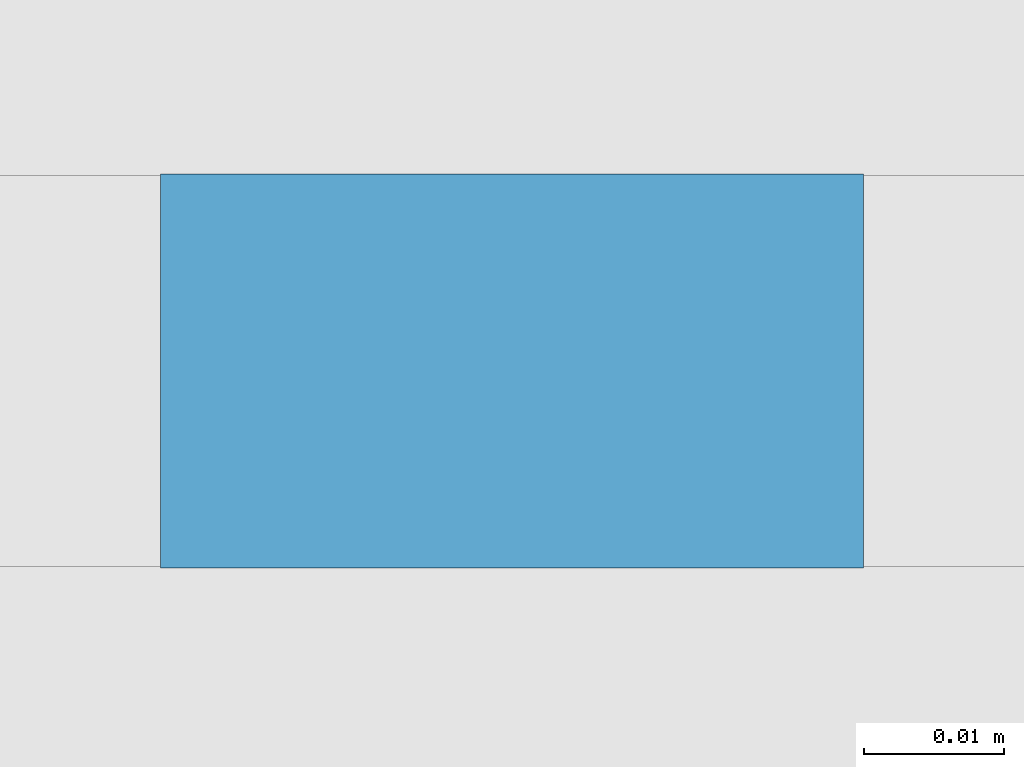
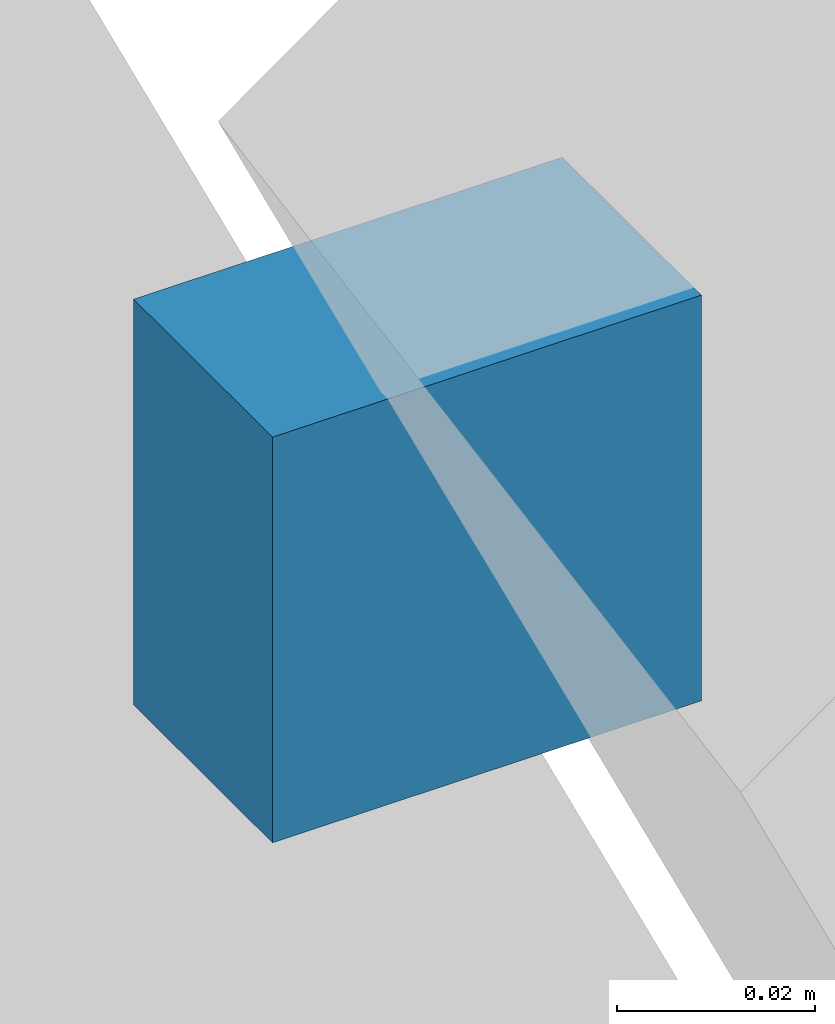
# One storey, part 24 of 26: 1 discrete accessory, 1 element without a shape of its own.
"""IFC4 building model written with IfcOpenShell, lengths in metres."""

from ifc_helpers import new_model, si_unit, direction, frame, origin, origin_2d, place, context, subcontext, project, spatial, rectangle, extrude, material, type_object, element, aggregate, save


model = new_model("IFC4")

# Units and contexts
model_context = context("Model", 3, precision=1e-05, world=origin(), true_north=direction((0.0, 1.0)))
body_context = subcontext(model_context, "Body", "Model", "MODEL_VIEW")
ifc_project = project(units=[si_unit("LENGTHUNIT", "METRE"), si_unit("AREAUNIT", "SQUARE_METRE"), si_unit("VOLUMEUNIT", "CUBIC_METRE"), si_unit("PLANEANGLEUNIT", "RADIAN"), si_unit("MASSUNIT", "GRAM", prefix="KILO")], contexts=[model_context])

# Site, building, storey
site_placement = place(None, origin())
site = spatial("IfcSite", under=ifc_project, at=site_placement, CompositionType="ELEMENT")
building_placement = place(site_placement, origin())
building = spatial("IfcBuilding", under=site, at=building_placement, Name="Tessera Arch", CompositionType="ELEMENT")
storey_placement = place(building_placement, frame((0.0, 0.0, 96.800048828125)))
storey = spatial("IfcBuildingStorey", under=building, at=storey_placement, Name="L22", CompositionType="ELEMENT", Elevation=96.800048828125)

# Curtain wall, discrete accessory
ifc_material = material(Name="CW3 curtain wall")
curtain_wall_type = type_object("IfcCurtainWallType", Name="CW3 curtain wall", PredefinedType="NOTDEFINED", material=ifc_material)
curtain_wall_placement = place(storey_placement, origin())
curtain_wall = element("IfcCurtainWall", 1, at=curtain_wall_placement, inside=storey, type_object=curtain_wall_type, Name="CW3 curtain wall N54.0/1 L22", PredefinedType="NOTDEFINED")
discrete_accessory_placement = place(storey_placement, frame((32.010986328125, 54.0439453125, 1.0537109375), z_axis=(0.0, 0.0, 1.0), x_axis=(-1.0, 0.0, 0.0)))
discrete_accessory = element("IfcDiscreteAccessory", 2, at=discrete_accessory_placement, Name="Glazing bracket", PredefinedType="BRACKET", context=body_context, shape_type="SweptSolid", body=[
    extrude(rectangle(XDim=0.050048828125, YDim=0.028076171875, at=origin_2d()), origin(), (0.0, 0.0, 1.0), 0.050048828125),
])
aggregate(curtain_wall, [discrete_accessory])

save(model, "model.ifc")
